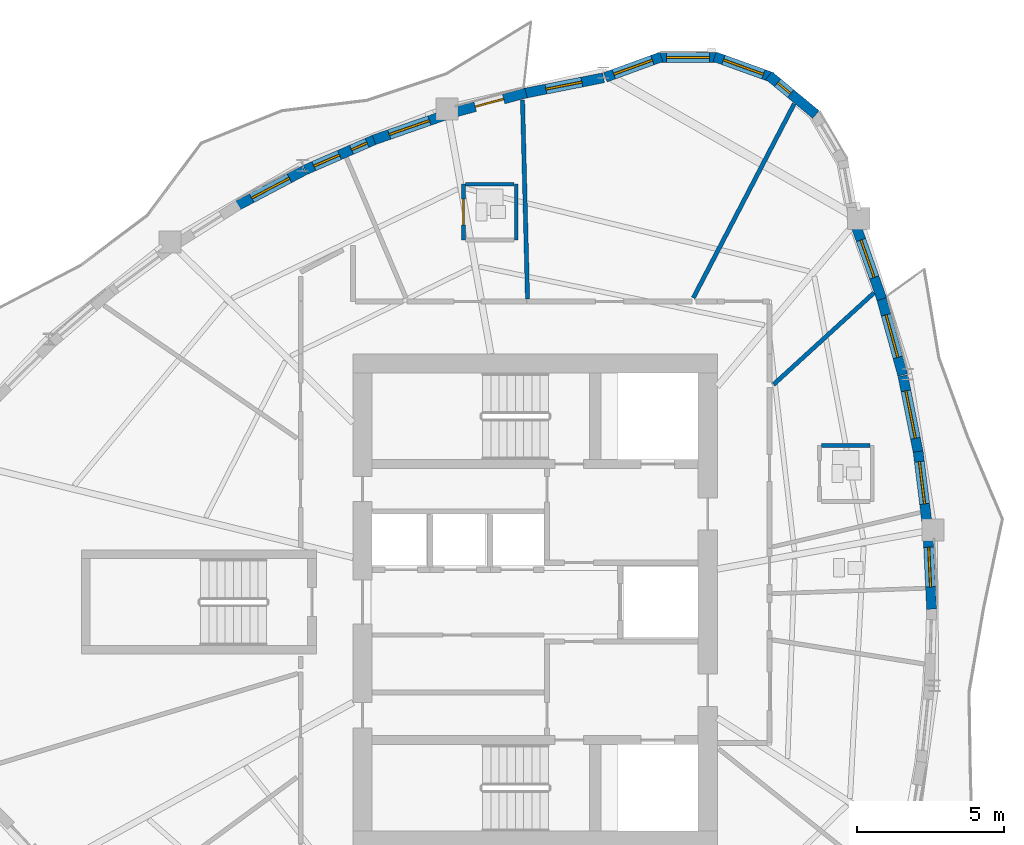
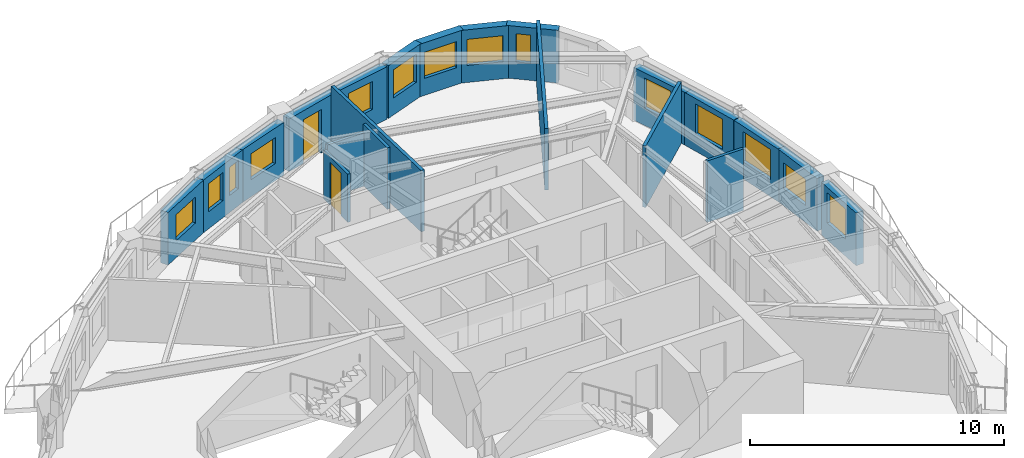
# One storey, part 7 of 12: 21 walls, 14 windows, 2 doors, 16 openings.
"""IFC4 building model written with IfcOpenShell, lengths in metres."""

from ifc_helpers import new_model, si_unit, direction, frame, frame_2d, origin, place, context, subcontext, project, spatial, rectangle, extrude, source, transform, mapped, material, layer, layer_set, type_object, element, fill, save


model = new_model("IFC4")

# Units and contexts
model_context = context("Model", 3, precision=1e-05, world=origin(), true_north=direction((0.0, 1.0)))
body_context = subcontext(model_context, "Body", "Model", "MODEL_VIEW")
ifc_project = project(units=[si_unit("LENGTHUNIT", "METRE"), si_unit("AREAUNIT", "SQUARE_METRE"), si_unit("VOLUMEUNIT", "CUBIC_METRE"), si_unit("PLANEANGLEUNIT", "RADIAN"), si_unit("MASSUNIT", "GRAM", prefix="KILO")], contexts=[model_context])

# Site, building, storey
site_placement = place(None, origin())
site = spatial("IfcSite", under=ifc_project, at=site_placement, CompositionType="ELEMENT")
building_placement = place(site_placement, origin())
building = spatial("IfcBuilding", under=site, at=building_placement, Name="Qafzar Sky-Pleat Residences", CompositionType="ELEMENT")
storey_placement = place(building_placement, frame((0.0, 0.0, 139.39990234375)))
storey = spatial("IfcBuildingStorey", under=building, at=storey_placement, Name="L41", CompositionType="ELEMENT", Elevation=139.39990234375)

# Walls
ifc_material_1 = material(Name="Acoustic gypsum plasterboard partition", Category="gypsum")
ifc_layer_1 = layer(ifc_material_1, 0.14501953125)
ifc_layer_set_1 = layer_set([ifc_layer_1], Name="Acoustic gypsum plasterboard partition")
wall_type_1 = type_object("IfcWallType", Name="PART-UNIT-145", PredefinedType="PARTITIONING", material=ifc_layer_set_1)
wall_1_placement = place(storey_placement, frame((35.731689453125, 36.3505859375, 0.0), z_axis=(0.0, 0.0, 1.0), x_axis=(0.461386804, 0.887199085378, 0.0)))
element("IfcWall", 1, at=wall_1_placement, inside=storey, type_object=wall_type_1, Name="L41 Partition Wall PART-L41-PW-017", PredefinedType="PARTITIONING", context=body_context, shape_type="SweptSolid", body=[
    extrude(rectangle(XDim=7.446044921875, YDim=0.14501953125, at=frame_2d((3.72314453125, 0.0))), origin(), (0.0, 0.0, 1.0), 2.9501953125),
])
wall_2_placement = place(storey_placement, frame((29.919921875, 43.09619140625, 0.0), z_axis=(0.0, 0.0, 1.0), x_axis=(0.025211755772, -0.999682133166, 0.0)))
element("IfcWall", 2, at=wall_2_placement, inside=storey, type_object=wall_type_1, Name="L41 Partition Wall PART-L41-PW-019", PredefinedType="PARTITIONING", context=body_context, shape_type="SweptSolid", body=[
    extrude(rectangle(XDim=6.778564453125, YDim=0.14501953125, at=frame_2d((3.38916015625, 0.0))), origin(), (0.0, 0.0, 1.0), 2.9501953125),
])
wall_3_placement = place(storey_placement, frame((38.46484375, 33.405029296875, 0.0), z_axis=(0.0, 0.0, 1.0), x_axis=(0.738623645331, 0.674118024205, 0.0)))
element("IfcWall", 3, at=wall_3_placement, inside=storey, type_object=wall_type_1, Name="L41 Partition Wall PART-L41-PW-024", PredefinedType="PARTITIONING", context=body_context, shape_type="SweptSolid", body=[
    extrude(rectangle(XDim=4.62890625, YDim=0.14501953125, at=frame_2d((2.314453125, 0.0))), origin(), (0.0, 0.0, 1.0), 2.9501953125),
])

# Wall, opening, door
ifc_material_2 = material(Name="Moisture-resistant gypsum partition", Category="gypsum")
ifc_layer_2 = layer(ifc_material_2, 0.1298828125)
ifc_layer_set_2 = layer_set([ifc_layer_2], Name="Moisture-resistant gypsum partition")
wall_type_2 = type_object("IfcWallType", Name="PART-WET-130", PredefinedType="PARTITIONING", material=ifc_layer_set_2)
wall_4_placement = place(storey_placement, frame((27.906005859375, 40.22509765625, 0.0), z_axis=(0.0, 0.0, 1.0), x_axis=(0.0, -1.0, 0.0)))
wall_4 = element("IfcWall", 4, at=wall_4_placement, inside=storey, type_object=wall_type_2, Name="L41 Partition Wall PART-L41-PW-010", PredefinedType="PARTITIONING", context=body_context, shape_type="SweptSolid", body=[
    extrude(rectangle(XDim=1.900146484375, YDim=0.1298828125, at=frame_2d((0.9501953125, 0.0))), origin(), (0.0, 0.0, 1.0), 2.318115234375),
])
opening_1_placement = place(wall_4_placement, frame((0.510009765625, 0.0, 0.0)))
opening_1 = element("IfcOpeningElement", 5, at=opening_1_placement, cuts=wall_4, Name="Opening ID-07", PredefinedType="OPENING", context=body_context, shape_type="SweptSolid", body=[
    extrude(rectangle(XDim=0.8798828125, YDim=2.050048828125, at=frame_2d((0.43994140625, 1.02490234375))), frame((0.0, 0.074951171875, 0.0), z_axis=(0.0, -1.0, 0.0), x_axis=(1.0, 0.0, 0.0)), (0.0, 0.0, 1.0), 0.14990234375),
])
ifc_material_3 = material(Name="Timber-faced fire door", Category="wood")
door_type_1 = type_object("IfcDoorType", Name="DR-WET-880", OperationType="NOTDEFINED", PredefinedType="DOOR", material=ifc_material_3)
shared_shape_1 = source(origin(), body_context, "Body", "SweptSolid", [
    extrude(rectangle(XDim=0.8798828125, YDim=2.050048828125, at=frame_2d((0.43994140625, 1.02490234375))), frame((0.0, 0.02490234375, 0.0), z_axis=(0.0, -1.0, 0.0), x_axis=(1.0, 0.0, 0.0)), (0.0, 0.0, 1.0), 0.050048828125),
])
door_1_placement = place(opening_1_placement, origin())
door_1 = element("IfcDoor", 6, at=door_1_placement, inside=storey, type_object=door_type_1, Name="L41 En-suite Bathroom 2 Door", OperationType="SINGLE_SWING_LEFT", OverallHeight=2.050048828125, OverallWidth=0.8798828125, PredefinedType="DOOR", context=body_context, shape_type="MappedRepresentation", body=[
    mapped(shared_shape_1, transform((0.0, 0.0, 0.0), x_axis=(1.0, 0.0, 0.0), y_axis=(0.0, 1.0, 0.0), z_axis=(0.0, 0.0, 1.0), scale=1.0)),
])
fill(opening_1, door_1)

# Walls
wall_5_placement = place(storey_placement, frame((29.7060546875, 38.324951171875, 0.0), z_axis=(0.0, 0.0, 1.0), x_axis=(0.0, 1.0, 0.0)))
element("IfcWall", 7, at=wall_5_placement, inside=storey, type_object=wall_type_2, Name="L41 Partition Wall PART-L41-PW-028", PredefinedType="PARTITIONING", context=body_context, shape_type="SweptSolid", body=[
    extrude(rectangle(XDim=1.900146484375, YDim=0.1298828125, at=frame_2d((0.9501953125, 0.0))), origin(), (0.0, 0.0, 1.0), 2.9501953125),
])
wall_6_placement = place(storey_placement, frame((40.097900390625, 31.324951171875, 0.0), z_axis=(0.0, 0.0, 1.0), x_axis=(1.0, 0.0, 0.0)))
element("IfcWall", 8, at=wall_6_placement, inside=storey, type_object=wall_type_2, Name="L41 Partition Wall PART-L41-PW-030", PredefinedType="PARTITIONING", context=body_context, shape_type="SweptSolid", body=[
    extrude(rectangle(XDim=1.654052734375, YDim=0.1298828125, at=frame_2d((0.8271484375, 0.0))), origin(), (0.0, 0.0, 1.0), 2.9501953125),
])
wall_7_placement = place(storey_placement, frame((27.97900390625, 40.22509765625, 0.0), z_axis=(0.0, 0.0, 1.0), x_axis=(1.0, 0.0, 0.0)))
element("IfcWall", 9, at=wall_7_placement, inside=storey, type_object=wall_type_2, Name="L41 Partition Wall PART-L41-PW-032", PredefinedType="PARTITIONING", context=body_context, shape_type="SweptSolid", body=[
    extrude(rectangle(XDim=1.654052734375, YDim=0.1298828125, at=frame_2d((0.8271484375, 0.0))), origin(), (0.0, 0.0, 1.0), 2.55810546875),
])

# Wall, opening, window
ifc_material_4 = material(Name="Precast concrete C40/50 with honed Riyadh limestone", Category="concrete")
ifc_layer_3 = layer(ifc_material_4, 0.340087890625)
ifc_layer_set_3 = layer_set([ifc_layer_3], Name="Precast concrete C40/50 with honed Riyadh limestone")
wall_type_3 = type_object("IfcWallType", Name="WALL-EXT-340", PredefinedType="SOLIDWALL", material=ifc_layer_set_3)
wall_8_placement = place(storey_placement, frame((43.8466796875, 25.75732421875, 0.0), z_axis=(0.0, 0.0, 1.0), x_axis=(-0.047592557699, 0.998866832191, 0.0)))
wall_8 = element("IfcWall", 10, at=wall_8_placement, inside=storey, type_object=wall_type_3, Name="L41 Limestone Facade Wall 28", PredefinedType="SOLIDWALL", context=body_context, shape_type="SweptSolid", body=[
    extrude(rectangle(XDim=2.539306640625, YDim=0.340087890625, at=frame_2d((1.26953125, 0.0))), origin(), (0.0, 0.0, 1.0), 2.530029296875),
])
opening_2_placement = place(wall_8_placement, frame((0.760498046875, 0.0, 0.820068359375)))
opening_2 = element("IfcOpeningElement", 11, at=opening_2_placement, cuts=wall_8, Name="Opening WN-04", PredefinedType="OPENING", context=body_context, shape_type="SweptSolid", body=[
    extrude(rectangle(XDim=1.35009765625, YDim=1.449951171875, at=frame_2d((0.675048828125, 0.72509765625))), frame((0.0, 0.18017578125, 0.0), z_axis=(0.0, -1.0, 0.0), x_axis=(1.0, 0.0, 0.0)), (0.0, 0.0, 1.0), 0.360107421875),
])
ifc_material_5 = material(Name="Solar-control low-E glass in bronze aluminium frame", Category="glass")
window_type_1 = type_object("IfcWindowType", Name="WIN-04", PartitioningType="SINGLE_PANEL", PredefinedType="WINDOW", material=ifc_material_5)
shared_shape_2 = source(origin(), body_context, "Body", "SweptSolid", [
    extrude(rectangle(XDim=1.35009765625, YDim=1.449951171875, at=frame_2d((0.675048828125, 0.72509765625))), frame((0.0, 0.030029296875, 0.0), z_axis=(0.0, -1.0, 0.0), x_axis=(1.0, 0.0, 0.0)), (0.0, 0.0, 1.0), 0.06005859375),
])
window_1_placement = place(opening_2_placement, origin())
window_1 = element("IfcWindow", 12, at=window_1_placement, inside=storey, type_object=window_type_1, Name="L41 Punched Facade Window 28-2", OverallHeight=1.449951171875, OverallWidth=1.35009765625, PartitioningType="SINGLE_PANEL", PredefinedType="WINDOW", context=body_context, shape_type="MappedRepresentation", body=[
    mapped(shared_shape_2, transform((0.0, 0.0, 0.0), x_axis=(1.0, 0.0, 0.0), y_axis=(0.0, 1.0, 0.0), z_axis=(0.0, 0.0, 1.0), scale=1.0)),
])
fill(opening_2, window_1)

wall_9_placement = place(storey_placement, frame((43.70068359375, 28.589599609375, 0.0), z_axis=(0.0, 0.0, 1.0), x_axis=(-0.122917094115, 0.992416942607, 0.0)))
wall_9 = element("IfcWall", 13, at=wall_9_placement, inside=storey, type_object=wall_type_3, Name="L41 Limestone Facade Wall 29", PredefinedType="SOLIDWALL", context=body_context, shape_type="SweptSolid", body=[
    extrude(rectangle(XDim=2.55419921875, YDim=0.340087890625, at=frame_2d((1.277099609375, 0.0))), origin(), (0.0, 0.0, 1.0), 2.530029296875),
])
opening_3_placement = place(wall_9_placement, frame((0.756103515625, 0.0, 0.820068359375)))
opening_3 = element("IfcOpeningElement", 14, at=opening_3_placement, cuts=wall_9, Name="Opening WN-15", PredefinedType="OPENING", context=body_context, shape_type="SweptSolid", body=[
    extrude(rectangle(XDim=1.449951171875, YDim=1.25, at=frame_2d((0.72509765625, 0.625))), frame((0.0, 0.18017578125, 0.0), z_axis=(0.0, -1.0, 0.0), x_axis=(1.0, 0.0, 0.0)), (0.0, 0.0, 1.0), 0.360107421875),
])
window_type_2 = type_object("IfcWindowType", Name="WIN-15", PartitioningType="SINGLE_PANEL", PredefinedType="WINDOW", material=ifc_material_5)
shared_shape_3 = source(origin(), body_context, "Body", "SweptSolid", [
    extrude(rectangle(XDim=1.449951171875, YDim=1.25, at=frame_2d((0.72509765625, 0.625))), frame((0.0, 0.030029296875, 0.0), z_axis=(0.0, -1.0, 0.0), x_axis=(1.0, 0.0, 0.0)), (0.0, 0.0, 1.0), 0.06005859375),
])
window_2_placement = place(opening_3_placement, origin())
window_2 = element("IfcWindow", 15, at=window_2_placement, inside=storey, type_object=window_type_2, Name="L41 Punched Facade Window 29-2", OverallHeight=1.25, OverallWidth=1.449951171875, PartitioningType="SINGLE_PANEL", PredefinedType="WINDOW", context=body_context, shape_type="MappedRepresentation", body=[
    mapped(shared_shape_3, transform((0.0, 0.0, 0.0), x_axis=(1.0, 0.0, 0.0), y_axis=(0.0, 1.0, 0.0), z_axis=(0.0, 0.0, 1.0), scale=1.0)),
])
fill(opening_3, window_2)

wall_10_placement = place(storey_placement, frame((43.40087890625, 31.037109375, 0.0), z_axis=(0.0, 0.0, 1.0), x_axis=(-0.196047084538, 0.980594483283, 0.0)))
wall_10 = element("IfcWall", 16, at=wall_10_placement, inside=storey, type_object=wall_type_3, Name="L41 Limestone Facade Wall 30", PredefinedType="SOLIDWALL", context=body_context, shape_type="SweptSolid", body=[
    extrude(rectangle(XDim=2.7197265625, YDim=0.340087890625, at=frame_2d((1.35986328125, 0.0))), origin(), (0.0, 0.0, 1.0), 2.530029296875),
])
opening_4_placement = place(wall_10_placement, frame((0.544921875, 0.0, 0.820068359375)))
opening_4 = element("IfcOpeningElement", 17, at=opening_4_placement, cuts=wall_10, Name="Opening WN-02", PredefinedType="OPENING", context=body_context, shape_type="SweptSolid", body=[
    extrude(rectangle(XDim=1.64990234375, YDim=1.449951171875, at=frame_2d((0.824951171875, 0.72509765625))), frame((0.0, 0.18017578125, 0.0), z_axis=(0.0, -1.0, 0.0), x_axis=(1.0, 0.0, 0.0)), (0.0, 0.0, 1.0), 0.360107421875),
])
window_type_3 = type_object("IfcWindowType", Name="WIN-02", PartitioningType="DOUBLE_PANEL_VERTICAL", PredefinedType="WINDOW", material=ifc_material_5)
shared_shape_4 = source(origin(), body_context, "Body", "SweptSolid", [
    extrude(rectangle(XDim=1.64990234375, YDim=1.449951171875, at=frame_2d((0.824951171875, 0.72509765625))), frame((0.0, 0.030029296875, 0.0), z_axis=(0.0, -1.0, 0.0), x_axis=(1.0, 0.0, 0.0)), (0.0, 0.0, 1.0), 0.06005859375),
])
window_3_placement = place(opening_4_placement, origin())
window_3 = element("IfcWindow", 18, at=window_3_placement, inside=storey, type_object=window_type_3, Name="L41 Punched Facade Window 30", OverallHeight=1.449951171875, OverallWidth=1.64990234375, PartitioningType="SINGLE_PANEL", PredefinedType="WINDOW", context=body_context, shape_type="MappedRepresentation", body=[
    mapped(shared_shape_4, transform((0.0, 0.0, 0.0), x_axis=(1.0, 0.0, 0.0), y_axis=(0.0, 1.0, 0.0), z_axis=(0.0, 0.0, 1.0), scale=1.0)),
])
fill(opening_4, window_3)

wall_11_placement = place(storey_placement, frame((42.861083984375, 33.73095703125, 0.0), z_axis=(0.0, 0.0, 1.0), x_axis=(-0.266277078362, 0.96389652844, 0.0)))
wall_11 = element("IfcWall", 19, at=wall_11_placement, inside=storey, type_object=wall_type_3, Name="L41 Limestone Facade Wall 31", PredefinedType="SOLIDWALL", context=body_context, shape_type="SweptSolid", body=[
    extrude(rectangle(XDim=2.764404296875, YDim=0.340087890625, at=frame_2d((1.38232421875, 0.0))), origin(), (0.0, 0.0, 1.0), 2.530029296875),
])
opening_5_placement = place(wall_11_placement, frame((0.622314453125, 0.0, 0.820068359375)))
opening_5 = element("IfcOpeningElement", 20, at=opening_5_placement, cuts=wall_11, Name="Opening WN-03", PredefinedType="OPENING", context=body_context, shape_type="SweptSolid", body=[
    extrude(rectangle(XDim=1.5, YDim=1.449951171875, at=frame_2d((0.75, 0.72509765625))), frame((0.0, 0.18017578125, 0.0), z_axis=(0.0, -1.0, 0.0), x_axis=(1.0, 0.0, 0.0)), (0.0, 0.0, 1.0), 0.360107421875),
])
window_type_4 = type_object("IfcWindowType", Name="WIN-03", PartitioningType="DOUBLE_PANEL_VERTICAL", PredefinedType="WINDOW", material=ifc_material_5)
shared_shape_5 = source(origin(), body_context, "Body", "SweptSolid", [
    extrude(rectangle(XDim=1.5, YDim=1.449951171875, at=frame_2d((0.75, 0.72509765625))), frame((0.0, 0.030029296875, 0.0), z_axis=(0.0, -1.0, 0.0), x_axis=(1.0, 0.0, 0.0)), (0.0, 0.0, 1.0), 0.06005859375),
])
window_4_placement = place(opening_5_placement, origin())
window_4 = element("IfcWindow", 21, at=window_4_placement, inside=storey, type_object=window_type_4, Name="L41 Punched Facade Window 31", OverallHeight=1.449951171875, OverallWidth=1.5, PartitioningType="SINGLE_PANEL", PredefinedType="WINDOW", context=body_context, shape_type="MappedRepresentation", body=[
    mapped(shared_shape_5, transform((0.0, 0.0, 0.0), x_axis=(1.0, 0.0, 0.0), y_axis=(0.0, 1.0, 0.0), z_axis=(0.0, 0.0, 1.0), scale=1.0)),
])
fill(opening_5, window_4)

wall_12_placement = place(storey_placement, frame((42.151123046875, 36.31201171875, 0.0), z_axis=(0.0, 0.0, 1.0), x_axis=(-0.332691841861, 0.94303559761, 0.0)))
wall_12 = element("IfcWall", 22, at=wall_12_placement, inside=storey, type_object=wall_type_3, Name="L41 Limestone Facade Wall 32", PredefinedType="SOLIDWALL", context=body_context, shape_type="SweptSolid", body=[
    extrude(rectangle(XDim=2.68798828125, YDim=0.340087890625, at=frame_2d((1.343994140625, 0.0))), origin(), (0.0, 0.0, 1.0), 2.530029296875),
])
opening_6_placement = place(wall_12_placement, frame((0.78369140625, 0.0, 0.820068359375)))
opening_6 = element("IfcOpeningElement", 23, at=opening_6_placement, cuts=wall_12, Name="Opening WN-04", PredefinedType="OPENING", context=body_context, shape_type="SweptSolid", body=[
    extrude(rectangle(XDim=1.35009765625, YDim=1.449951171875, at=frame_2d((0.675048828125, 0.72509765625))), frame((0.0, 0.18017578125, 0.0), z_axis=(0.0, -1.0, 0.0), x_axis=(1.0, 0.0, 0.0)), (0.0, 0.0, 1.0), 0.360107421875),
])
window_5_placement = place(opening_6_placement, origin())
window_5 = element("IfcWindow", 24, at=window_5_placement, inside=storey, type_object=window_type_1, Name="L41 Punched Facade Window 32", OverallHeight=1.449951171875, OverallWidth=1.35009765625, PartitioningType="SINGLE_PANEL", PredefinedType="WINDOW", context=body_context, shape_type="MappedRepresentation", body=[
    mapped(shared_shape_2, transform((0.0, 0.0, 0.0), x_axis=(1.0, 0.0, 0.0), y_axis=(0.0, 1.0, 0.0), z_axis=(0.0, 0.0, 1.0), scale=1.0)),
])
fill(opening_6, window_5)

wall_13_placement = place(storey_placement, frame((39.905517578125, 42.59521484375, 0.0), z_axis=(0.0, 0.0, 1.0), x_axis=(-0.769584999316, 0.638544382817, 0.0)))
wall_13 = element("IfcWall", 25, at=wall_13_placement, inside=storey, type_object=wall_type_3, Name="L41 Limestone Facade Wall 35", PredefinedType="SOLIDWALL", context=body_context, shape_type="SweptSolid", body=[
    extrude(rectangle(XDim=2.0810546875, YDim=0.340087890625, at=frame_2d((1.04052734375, 0.0))), origin(), (0.0, 0.0, 1.0), 2.530029296875),
])
opening_7_placement = place(wall_13_placement, frame((1.11376953125, 0.0, 0.820068359375)))
opening_7 = element("IfcOpeningElement", 26, at=opening_7_placement, cuts=wall_13, Name="Opening WN-17", PredefinedType="OPENING", context=body_context, shape_type="SweptSolid", body=[
    extrude(rectangle(XDim=0.580078125, YDim=1.35009765625, at=frame_2d((0.2900390625, 0.675048828125))), frame((0.0, 0.18017578125, 0.0), z_axis=(0.0, -1.0, 0.0), x_axis=(1.0, 0.0, 0.0)), (0.0, 0.0, 1.0), 0.360107421875),
])
window_type_5 = type_object("IfcWindowType", Name="WIN-17", PartitioningType="SINGLE_PANEL", PredefinedType="WINDOW", material=ifc_material_5)
shared_shape_6 = source(origin(), body_context, "Body", "SweptSolid", [
    extrude(rectangle(XDim=0.580078125, YDim=1.35009765625, at=frame_2d((0.2900390625, 0.675048828125))), frame((0.0, 0.030029296875, 0.0), z_axis=(0.0, -1.0, 0.0), x_axis=(1.0, 0.0, 0.0)), (0.0, 0.0, 1.0), 0.06005859375),
])
window_6_placement = place(opening_7_placement, origin())
window_6 = element("IfcWindow", 27, at=window_6_placement, inside=storey, type_object=window_type_5, Name="L41 Punched Facade Window 35-2", OverallHeight=1.35009765625, OverallWidth=0.580078125, PartitioningType="SINGLE_PANEL", PredefinedType="WINDOW", context=body_context, shape_type="MappedRepresentation", body=[
    mapped(shared_shape_6, transform((0.0, 0.0, 0.0), x_axis=(1.0, 0.0, 0.0), y_axis=(0.0, 1.0, 0.0), z_axis=(0.0, 0.0, 1.0), scale=1.0)),
])
fill(opening_7, window_6)

wall_14_placement = place(storey_placement, frame((38.419921875, 43.85791015625, 0.0), z_axis=(0.0, 0.0, 1.0), x_axis=(-0.941071215914, 0.338208466153, 0.0)))
wall_14 = element("IfcWall", 28, at=wall_14_placement, inside=storey, type_object=wall_type_3, Name="L41 Limestone Facade Wall 36", PredefinedType="SOLIDWALL", context=body_context, shape_type="SweptSolid", body=[
    extrude(rectangle(XDim=2.0810546875, YDim=0.340087890625, at=frame_2d((1.04052734375, 0.0))), origin(), (0.0, 0.0, 1.0), 2.530029296875),
])
opening_8_placement = place(wall_14_placement, frame((0.315673828125, 0.0, 0.820068359375)))
opening_8 = element("IfcOpeningElement", 29, at=opening_8_placement, cuts=wall_14, Name="Opening WN-15", PredefinedType="OPENING", context=body_context, shape_type="SweptSolid", body=[
    extrude(rectangle(XDim=1.449951171875, YDim=1.25, at=frame_2d((0.72509765625, 0.625))), frame((0.0, 0.18017578125, 0.0), z_axis=(0.0, -1.0, 0.0), x_axis=(1.0, 0.0, 0.0)), (0.0, 0.0, 1.0), 0.360107421875),
])
window_7_placement = place(opening_8_placement, origin())
window_7 = element("IfcWindow", 30, at=window_7_placement, inside=storey, type_object=window_type_2, Name="L41 Punched Facade Window 36", OverallHeight=1.25, OverallWidth=1.449951171875, PartitioningType="SINGLE_PANEL", PredefinedType="WINDOW", context=body_context, shape_type="MappedRepresentation", body=[
    mapped(shared_shape_3, transform((0.0, 0.0, 0.0), x_axis=(1.0, 0.0, 0.0), y_axis=(0.0, 1.0, 0.0), z_axis=(0.0, 0.0, 1.0), scale=1.0)),
])
fill(opening_8, window_7)

wall_15_placement = place(storey_placement, frame((36.593017578125, 44.5390625, 0.0), z_axis=(0.0, 0.0, 1.0), x_axis=(-0.999996965272, -0.002463624621, 0.0)))
wall_15 = element("IfcWall", 31, at=wall_15_placement, inside=storey, type_object=wall_type_3, Name="L41 Limestone Facade Wall 37", PredefinedType="SOLIDWALL", context=body_context, shape_type="SweptSolid", body=[
    extrude(rectangle(XDim=2.0810546875, YDim=0.340087890625, at=frame_2d((1.04052734375, 0.0))), origin(), (0.0, 0.0, 1.0), 2.530029296875),
])
opening_9_placement = place(wall_15_placement, frame((0.315673828125, 0.0, 0.820068359375)))
opening_9 = element("IfcOpeningElement", 32, at=opening_9_placement, cuts=wall_15, Name="Opening WN-15", PredefinedType="OPENING", context=body_context, shape_type="SweptSolid", body=[
    extrude(rectangle(XDim=1.449951171875, YDim=1.25, at=frame_2d((0.72509765625, 0.625))), frame((0.0, 0.18017578125, 0.0), z_axis=(0.0, -1.0, 0.0), x_axis=(1.0, 0.0, 0.0)), (0.0, 0.0, 1.0), 0.360107421875),
])
window_8_placement = place(opening_9_placement, origin())
window_8 = element("IfcWindow", 33, at=window_8_placement, inside=storey, type_object=window_type_2, Name="L41 Punched Facade Window 37", OverallHeight=1.25, OverallWidth=1.449951171875, PartitioningType="SINGLE_PANEL", PredefinedType="WINDOW", context=body_context, shape_type="MappedRepresentation", body=[
    mapped(shared_shape_3, transform((0.0, 0.0, 0.0), x_axis=(1.0, 0.0, 0.0), y_axis=(0.0, 1.0, 0.0), z_axis=(0.0, 0.0, 1.0), scale=1.0)),
])
fill(opening_9, window_8)

wall_16_placement = place(storey_placement, frame((34.6435546875, 44.557373046875, 0.0), z_axis=(0.0, 0.0, 1.0), x_axis=(-0.939440593615, -0.342711790092, 0.0)))
wall_16 = element("IfcWall", 34, at=wall_16_placement, inside=storey, type_object=wall_type_3, Name="L41 Limestone Facade Wall 38", PredefinedType="SOLIDWALL", context=body_context, shape_type="SweptSolid", body=[
    extrude(rectangle(XDim=2.023193359375, YDim=0.340087890625, at=frame_2d((1.01171875, 0.0))), origin(), (0.0, 0.0, 1.0), 2.530029296875),
])
opening_10_placement = place(wall_16_placement, frame((0.321533203125, 0.0, 0.820068359375)))
opening_10 = element("IfcOpeningElement", 35, at=opening_10_placement, cuts=wall_16, Name="Opening WN-10", PredefinedType="OPENING", context=body_context, shape_type="SweptSolid", body=[
    extrude(rectangle(XDim=1.39990234375, YDim=1.35009765625, at=frame_2d((0.699951171875, 0.675048828125))), frame((0.0, 0.18017578125, 0.0), z_axis=(0.0, -1.0, 0.0), x_axis=(1.0, 0.0, 0.0)), (0.0, 0.0, 1.0), 0.360107421875),
])
window_type_6 = type_object("IfcWindowType", Name="WIN-10", PartitioningType="SINGLE_PANEL", PredefinedType="WINDOW", material=ifc_material_5)
shared_shape_7 = source(origin(), body_context, "Body", "SweptSolid", [
    extrude(rectangle(XDim=1.39990234375, YDim=1.35009765625, at=frame_2d((0.699951171875, 0.675048828125))), frame((0.0, 0.030029296875, 0.0), z_axis=(0.0, -1.0, 0.0), x_axis=(1.0, 0.0, 0.0)), (0.0, 0.0, 1.0), 0.06005859375),
])
window_9_placement = place(opening_10_placement, origin())
window_9 = element("IfcWindow", 36, at=window_9_placement, inside=storey, type_object=window_type_6, Name="L41 Punched Facade Window 38", OverallHeight=1.35009765625, OverallWidth=1.39990234375, PartitioningType="SINGLE_PANEL", PredefinedType="WINDOW", context=body_context, shape_type="MappedRepresentation", body=[
    mapped(shared_shape_7, transform((0.0, 0.0, 0.0), x_axis=(1.0, 0.0, 0.0), y_axis=(0.0, 1.0, 0.0), z_axis=(0.0, 0.0, 1.0), scale=1.0)),
])
fill(opening_10, window_9)

wall_17_placement = place(storey_placement, frame((32.67919921875, 43.845947265625, 0.0), z_axis=(0.0, 0.0, 1.0), x_axis=(-0.981247929568, -0.192749839736, 0.0)))
wall_17 = element("IfcWall", 37, at=wall_17_placement, inside=storey, type_object=wall_type_3, Name="L41 Limestone Facade Wall 39", PredefinedType="SOLIDWALL", context=body_context, shape_type="SweptSolid", body=[
    extrude(rectangle(XDim=2.7763671875, YDim=0.340087890625, at=frame_2d((1.38818359375, 0.0))), origin(), (0.0, 0.0, 1.0), 2.530029296875),
])
opening_11_placement = place(wall_17_placement, frame((0.753173828125, 0.0, 0.820068359375)))
opening_11 = element("IfcOpeningElement", 38, at=opening_11_placement, cuts=wall_17, Name="Opening WN-11", PredefinedType="OPENING", context=body_context, shape_type="SweptSolid", body=[
    extrude(rectangle(XDim=1.25, YDim=1.35009765625, at=frame_2d((0.625, 0.675048828125))), frame((0.0, 0.18017578125, 0.0), z_axis=(0.0, -1.0, 0.0), x_axis=(1.0, 0.0, 0.0)), (0.0, 0.0, 1.0), 0.360107421875),
])
window_type_7 = type_object("IfcWindowType", Name="WIN-11", PartitioningType="SINGLE_PANEL", PredefinedType="WINDOW", material=ifc_material_5)
shared_shape_8 = source(origin(), body_context, "Body", "SweptSolid", [
    extrude(rectangle(XDim=1.25, YDim=1.35009765625, at=frame_2d((0.625, 0.675048828125))), frame((0.0, 0.030029296875, 0.0), z_axis=(0.0, -1.0, 0.0), x_axis=(1.0, 0.0, 0.0)), (0.0, 0.0, 1.0), 0.06005859375),
])
window_10_placement = place(opening_11_placement, origin())
window_10 = element("IfcWindow", 39, at=window_10_placement, inside=storey, type_object=window_type_7, Name="L41 Punched Facade Window 39", OverallHeight=1.35009765625, OverallWidth=1.25, PartitioningType="SINGLE_PANEL", PredefinedType="WINDOW", context=body_context, shape_type="MappedRepresentation", body=[
    mapped(shared_shape_8, transform((0.0, 0.0, 0.0), x_axis=(1.0, 0.0, 0.0), y_axis=(0.0, 1.0, 0.0), z_axis=(0.0, 0.0, 1.0), scale=1.0)),
])
fill(opening_11, window_10)

# Wall, opening, door
wall_18_placement = place(storey_placement, frame((30.040283203125, 43.33056640625, 0.0), z_axis=(0.0, 0.0, 1.0), x_axis=(-0.965460468502, -0.260549580233, 0.0)))
wall_18 = element("IfcWall", 40, at=wall_18_placement, inside=storey, type_object=wall_type_3, Name="L41 Limestone Facade Wall 40", PredefinedType="SOLIDWALL", context=body_context, shape_type="SweptSolid", body=[
    extrude(rectangle(XDim=2.583251953125, YDim=0.340087890625, at=frame_2d((1.29150390625, 0.0))), origin(), (0.0, 0.0, 1.0), 2.530029296875),
])
opening_12_placement = place(wall_18_placement, frame((0.791748046875, 0.0, 0.0)))
opening_12 = element("IfcOpeningElement", 41, at=opening_12_placement, cuts=wall_18, Name="Opening ED-05", PredefinedType="OPENING", context=body_context, shape_type="SweptSolid", body=[
    extrude(rectangle(XDim=1.0, YDim=2.10009765625, at=frame_2d((0.5, 1.050048828125))), frame((0.0, 0.18017578125, 0.0), z_axis=(0.0, -1.0, 0.0), x_axis=(1.0, 0.0, 0.0)), (0.0, 0.0, 1.0), 0.360107421875),
])
ifc_material_6 = material(Name="Glazed bronze aluminium door", Category="aluminium")
door_type_2 = type_object("IfcDoorType", Name="DR-BAL-1000", OperationType="NOTDEFINED", PredefinedType="DOOR", material=ifc_material_6)
shared_shape_9 = source(origin(), body_context, "Body", "SweptSolid", [
    extrude(rectangle(XDim=1.0, YDim=2.10009765625, at=frame_2d((0.5, 1.050048828125))), frame((0.0, 0.02490234375, 0.0), z_axis=(0.0, -1.0, 0.0), x_axis=(1.0, 0.0, 0.0)), (0.0, 0.0, 1.0), 0.050048828125),
])
door_2_placement = place(opening_12_placement, origin())
door_2 = element("IfcDoor", 42, at=door_2_placement, inside=storey, type_object=door_type_2, Name="L41 Glazed Balcony Door 2", OperationType="SINGLE_SWING_LEFT", OverallHeight=2.10009765625, OverallWidth=1.0, PredefinedType="DOOR", context=body_context, shape_type="MappedRepresentation", body=[
    mapped(shared_shape_9, transform((0.0, 0.0, 0.0), x_axis=(1.0, 0.0, 0.0), y_axis=(0.0, 1.0, 0.0), z_axis=(0.0, 0.0, 1.0), scale=1.0)),
])
fill(opening_12, door_2)

# Wall, opening, window
wall_19_placement = place(storey_placement, frame((27.261962890625, 42.569580078125, 0.0), z_axis=(0.0, 0.0, 1.0), x_axis=(-0.944148723561, -0.329519631884, 0.0)))
wall_19 = element("IfcWall", 43, at=wall_19_placement, inside=storey, type_object=wall_type_3, Name="L41 Limestone Facade Wall 41", PredefinedType="SOLIDWALL", context=body_context, shape_type="SweptSolid", body=[
    extrude(rectangle(XDim=2.539794921875, YDim=0.340087890625, at=frame_2d((1.27001953125, 0.0))), origin(), (0.0, 0.0, 1.0), 2.530029296875),
])
opening_13_placement = place(wall_19_placement, frame((0.539794921875, 0.0, 0.820068359375)))
opening_13 = element("IfcOpeningElement", 44, at=opening_13_placement, cuts=wall_19, Name="Opening WN-15", PredefinedType="OPENING", context=body_context, shape_type="SweptSolid", body=[
    extrude(rectangle(XDim=1.449951171875, YDim=1.25, at=frame_2d((0.72509765625, 0.625))), frame((0.0, 0.18017578125, 0.0), z_axis=(0.0, -1.0, 0.0), x_axis=(1.0, 0.0, 0.0)), (0.0, 0.0, 1.0), 0.360107421875),
])
window_11_placement = place(opening_13_placement, origin())
window_11 = element("IfcWindow", 45, at=window_11_placement, inside=storey, type_object=window_type_2, Name="L41 Punched Facade Window 41", OverallHeight=1.25, OverallWidth=1.449951171875, PartitioningType="SINGLE_PANEL", PredefinedType="WINDOW", context=body_context, shape_type="MappedRepresentation", body=[
    mapped(shared_shape_3, transform((0.0, 0.0, 0.0), x_axis=(1.0, 0.0, 0.0), y_axis=(0.0, 1.0, 0.0), z_axis=(0.0, 0.0, 1.0), scale=1.0)),
])
fill(opening_13, window_11)

# Wall, openings, windows
wall_20_placement = place(storey_placement, frame((24.946533203125, 41.764892578125, 0.0), z_axis=(0.0, 0.0, 1.0), x_axis=(-0.917074459221, -0.398715984435, 0.0)))
wall_20 = element("IfcWall", 46, at=wall_20_placement, inside=storey, type_object=wall_type_3, Name="L41 Limestone Facade Wall 42", PredefinedType="SOLIDWALL", context=body_context, shape_type="SweptSolid", body=[
    extrude(rectangle(XDim=2.64453125, YDim=0.340087890625, at=frame_2d((1.322265625, 0.0))), origin(), (0.0, 0.0, 1.0), 2.530029296875),
])
opening_14_placement = place(wall_20_placement, frame((0.344482421875, 0.0, 0.820068359375)))
opening_14 = element("IfcOpeningElement", 47, at=opening_14_placement, cuts=wall_20, Name="Opening WN-17", PredefinedType="OPENING", context=body_context, shape_type="SweptSolid", body=[
    extrude(rectangle(XDim=0.580078125, YDim=1.35009765625, at=frame_2d((0.2900390625, 0.675048828125))), frame((0.0, 0.18017578125, 0.0), z_axis=(0.0, -1.0, 0.0), x_axis=(1.0, 0.0, 0.0)), (0.0, 0.0, 1.0), 0.360107421875),
])
opening_15_placement = place(wall_20_placement, frame((1.3720703125, 0.0, 0.820068359375)))
opening_15 = element("IfcOpeningElement", 48, at=opening_15_placement, cuts=wall_20, Name="Opening WN-12", PredefinedType="OPENING", context=body_context, shape_type="SweptSolid", body=[
    extrude(rectangle(XDim=0.949951171875, YDim=1.35009765625, at=frame_2d((0.47509765625, 0.675048828125))), frame((0.0, 0.18017578125, 0.0), z_axis=(0.0, -1.0, 0.0), x_axis=(1.0, 0.0, 0.0)), (0.0, 0.0, 1.0), 0.360107421875),
])
window_type_8 = type_object("IfcWindowType", Name="WIN-12", PartitioningType="SINGLE_PANEL", PredefinedType="WINDOW", material=ifc_material_5)
shared_shape_10 = source(origin(), body_context, "Body", "SweptSolid", [
    extrude(rectangle(XDim=0.949951171875, YDim=1.35009765625, at=frame_2d((0.47509765625, 0.675048828125))), frame((0.0, 0.030029296875, 0.0), z_axis=(0.0, -1.0, 0.0), x_axis=(1.0, 0.0, 0.0)), (0.0, 0.0, 1.0), 0.06005859375),
])
window_12_placement = place(opening_15_placement, origin())
window_12 = element("IfcWindow", 49, at=window_12_placement, inside=storey, type_object=window_type_8, Name="L41 Punched Facade Window 42-2", OverallHeight=1.35009765625, OverallWidth=0.949951171875, PartitioningType="SINGLE_PANEL", PredefinedType="WINDOW", context=body_context, shape_type="MappedRepresentation", body=[
    mapped(shared_shape_10, transform((0.0, 0.0, 0.0), x_axis=(1.0, 0.0, 0.0), y_axis=(0.0, 1.0, 0.0), z_axis=(0.0, 0.0, 1.0), scale=1.0)),
])
fill(opening_15, window_12)
window_13_placement = place(opening_14_placement, origin())
window_13 = element("IfcWindow", 50, at=window_13_placement, inside=storey, type_object=window_type_5, Name="L41 Punched Facade Window 42", OverallHeight=1.35009765625, OverallWidth=0.580078125, PartitioningType="SINGLE_PANEL", PredefinedType="WINDOW", context=body_context, shape_type="MappedRepresentation", body=[
    mapped(shared_shape_6, transform((0.0, 0.0, 0.0), x_axis=(1.0, 0.0, 0.0), y_axis=(0.0, 1.0, 0.0), z_axis=(0.0, 0.0, 1.0), scale=1.0)),
])
fill(opening_14, window_13)

# Wall, opening, window
wall_21_placement = place(storey_placement, frame((22.496826171875, 40.69873046875, 0.0), z_axis=(0.0, 0.0, 1.0), x_axis=(-0.88439007496, -0.466748535415, 0.0)))
wall_21 = element("IfcWall", 51, at=wall_21_placement, inside=storey, type_object=wall_type_3, Name="L41 Limestone Facade Wall 43", PredefinedType="SOLIDWALL", context=body_context, shape_type="SweptSolid", body=[
    extrude(rectangle(XDim=2.6298828125, YDim=0.340087890625, at=frame_2d((1.31494140625, 0.0))), origin(), (0.0, 0.0, 1.0), 2.530029296875),
])
opening_16_placement = place(wall_21_placement, frame((0.579833984375, 0.0, 0.820068359375)))
opening_16 = element("IfcOpeningElement", 52, at=opening_16_placement, cuts=wall_21, Name="Opening WN-15", PredefinedType="OPENING", context=body_context, shape_type="SweptSolid", body=[
    extrude(rectangle(XDim=1.449951171875, YDim=1.25, at=frame_2d((0.72509765625, 0.625))), frame((0.0, 0.18017578125, 0.0), z_axis=(0.0, -1.0, 0.0), x_axis=(1.0, 0.0, 0.0)), (0.0, 0.0, 1.0), 0.360107421875),
])
window_14_placement = place(opening_16_placement, origin())
window_14 = element("IfcWindow", 53, at=window_14_placement, inside=storey, type_object=window_type_2, Name="L41 Punched Facade Window 43", OverallHeight=1.25, OverallWidth=1.449951171875, PartitioningType="SINGLE_PANEL", PredefinedType="WINDOW", context=body_context, shape_type="MappedRepresentation", body=[
    mapped(shared_shape_3, transform((0.0, 0.0, 0.0), x_axis=(1.0, 0.0, 0.0), y_axis=(0.0, 1.0, 0.0), z_axis=(0.0, 0.0, 1.0), scale=1.0)),
])
fill(opening_16, window_14)

save(model, "model.ifc")
